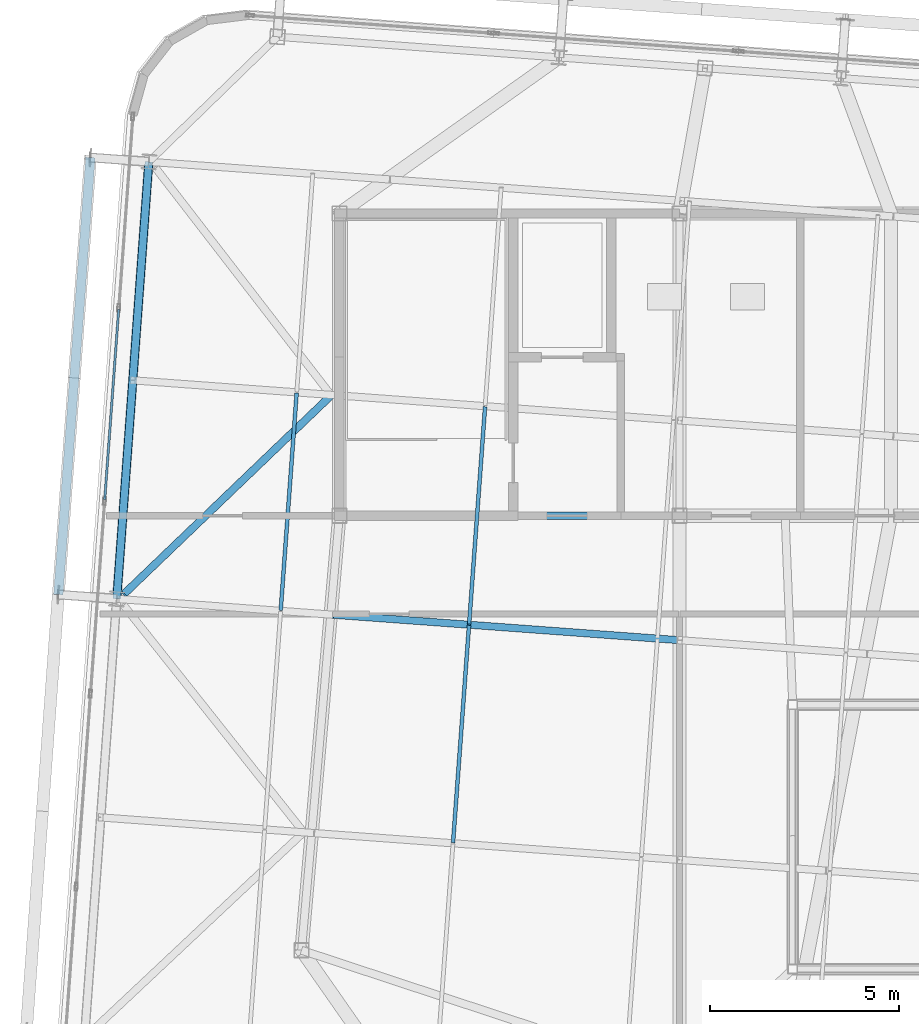
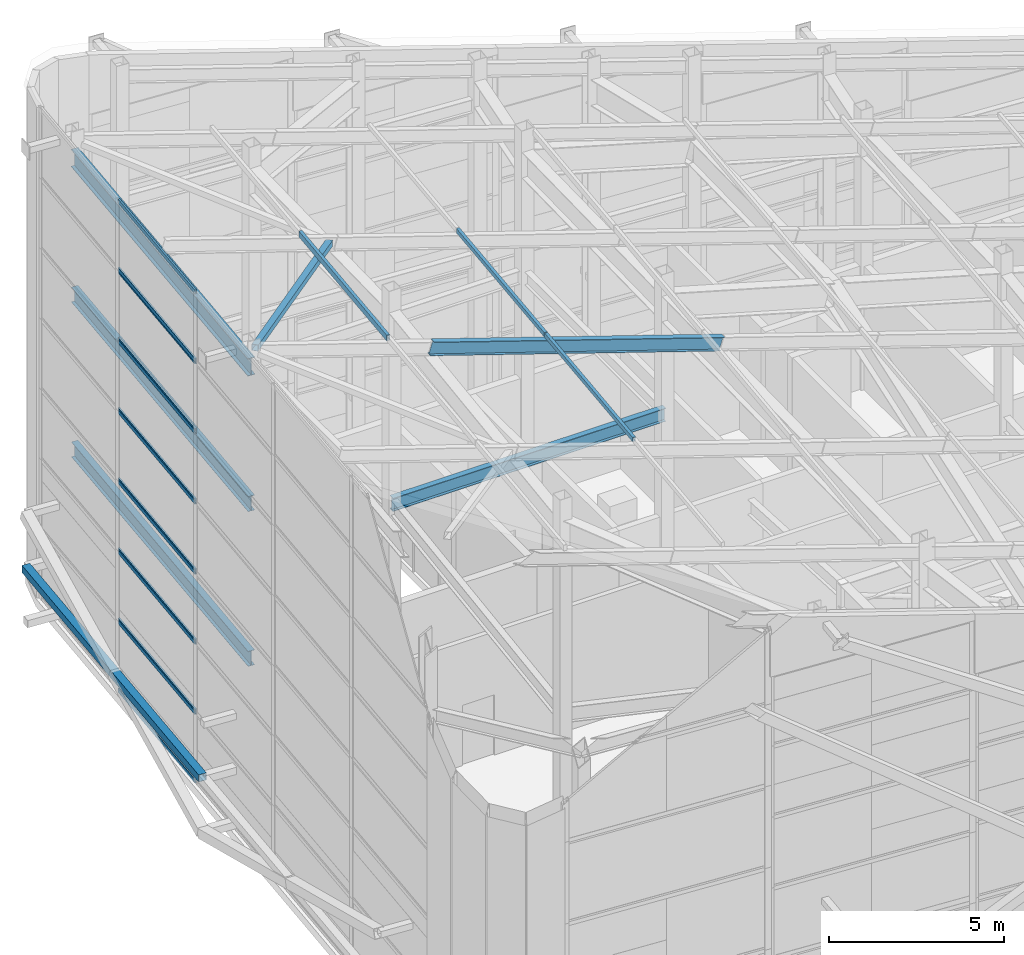
# One storey, part 16 of 56: 20 members, 4 beams, 7 elements without a shape of their own.
"""IFC4 building model written with IfcOpenShell, lengths in metres."""

from ifc_helpers import new_model, si_unit, direction, frame, origin, origin_2d, place, context, subcontext, project, spatial, hollow_rectangle, i_section, extrude, source, transform, mapped, material, layer, layer_set, material_profile, profile_set, type_object, element, aggregate, save


model = new_model("IFC4")

# Units and contexts
model_context = context("Model", 3, precision=1e-05, world=origin(), true_north=direction((0.0, 1.0)))
body_context = subcontext(model_context, "Body", "Model", "MODEL_VIEW")
ifc_project = project(units=[si_unit("LENGTHUNIT", "METRE"), si_unit("AREAUNIT", "SQUARE_METRE"), si_unit("VOLUMEUNIT", "CUBIC_METRE"), si_unit("PLANEANGLEUNIT", "RADIAN"), si_unit("MASSUNIT", "GRAM", prefix="KILO")], contexts=[model_context])

# Site, building, storey
site_placement = place(None, origin())
site = spatial("IfcSite", under=ifc_project, at=site_placement, CompositionType="ELEMENT")
building_placement = place(site_placement, origin())
building = spatial("IfcBuilding", under=site, at=building_placement, Name="Taldren Reach Tower", CompositionType="ELEMENT")
storey_placement = place(building_placement, frame((0.0, 0.0, 253.050048828125)))
storey = spatial("IfcBuildingStorey", under=building, at=storey_placement, Name="L77", CompositionType="ELEMENT", Elevation=253.050048828125)

# Beams
ifc_material_1 = material(Name="Steel Gr 350 (350PLUS)", Category="steel")
ifc_material_profile_1 = material_profile(ifc_material_1, i_section(OverallWidth=0.19091796875, OverallDepth=0.4599609375, WebThickness=0.010009765625, FlangeThickness=0.01611328125, at=origin_2d()), Name="460UB82.1")
ifc_profile_set_1 = profile_set([ifc_material_profile_1], Name="Steel Gr 350 (350PLUS)")
beam_type_1 = type_object("IfcBeamType", Name="BM-UB460A", PredefinedType="BEAM", material=ifc_profile_set_1)
shared_shape_1 = source(origin(), body_context, "Body", "SweptSolid", [
    extrude(i_section(OverallWidth=0.19091796875, OverallDepth=0.4599609375, WebThickness=0.010009765625, FlangeThickness=0.01611328125, at=origin_2d()), origin(), (0.0, 0.0, 1.0), 9.0),
])
beam_1_placement = place(storey_placement, frame((19.0, 24.0, 7.800048828125), z_axis=(1.0, 0.0, 0.0), x_axis=(0.0, 1.0, 0.0)))
element("IfcBeam", 1, at=beam_1_placement, inside=storey, type_object=beam_type_1, Name="Crown interior mega-column lateral tie MC-C1-MC-C2", PredefinedType="BEAM", context=body_context, shape_type="MappedRepresentation", body=[
    mapped(shared_shape_1, transform((0.0, 0.0, 0.0), scale=1.0)),
])
ifc_material_profile_2 = material_profile(ifc_material_1, i_section(OverallWidth=0.208984375, OverallDepth=0.528076171875, WebThickness=0.009521484375, FlangeThickness=0.01318359375, at=origin_2d()), Name="530UB82.0")
ifc_profile_set_2 = profile_set([ifc_material_profile_2], Name="Steel Gr 350 (350PLUS)")
beam_type_2 = type_object("IfcBeamType", Name="SP-UB530B", PredefinedType="SPANDREL", material=ifc_profile_set_2)
shared_shape_2 = source(origin(), body_context, "Body", "SweptSolid", [
    extrude(i_section(OverallWidth=0.208984375, OverallDepth=0.528076171875, WebThickness=0.009521484375, FlangeThickness=0.01318359375, at=origin_2d()), origin(), (0.0, 0.0, 1.0), 11.60009765625),
])
for number, where, z_axis, x_axis, name in (
    (2, (13.958251953125, 33.369140625, 5.800048828125), (-0.073242167855, -0.997314185625, 0.0), (0.997314185625, -0.073242167855, 0.0), "Crown perimeter wind girt LO W3-W2"),
    (3, (13.958251953125, 33.369140625, 11.199951171875), (-0.073242167855, -0.997314185625, 0.0), (0.997314185625, -0.073242167855, 0.0), "Crown perimeter wind girt HI W3-W2"),
):
    element("IfcBeam", number, at=place(storey_placement, frame(where, z_axis=z_axis, x_axis=x_axis)), inside=storey, type_object=beam_type_2, Name=name, PredefinedType="SPANDREL", context=body_context, shape_type="MappedRepresentation", body=[
        mapped(shared_shape_2, transform((0.0, 0.0, 0.0), scale=1.0)),
    ])

# Member
ifc_material_2 = material(Name="Steel Gr 350 (C350L0)", Category="steel")
ifc_material_profile_3 = material_profile(ifc_material_2, hollow_rectangle(XDim=0.25, YDim=0.25, WallThickness=0.010009765625, at=origin_2d()), Name="250x250x10.0SHS")
ifc_profile_set_3 = profile_set([ifc_material_profile_3], Name="Steel Gr 350 (C350L0)")
member_type_1 = type_object("IfcMemberType", Name="MB-POST250", PredefinedType="POST", material=ifc_profile_set_3)
shared_shape_3 = source(origin(), body_context, "Body", "SweptSolid", [
    extrude(hollow_rectangle(XDim=0.25, YDim=0.25, WallThickness=0.010009765625, at=origin_2d()), origin(), (0.0, 0.0, 1.0), 11.60009765625),
])
member_1_placement = place(storey_placement, frame((11.562744140625, 21.913818359375, 2.10986328125), z_axis=(0.073242167855, 0.997314185625, 0.0), x_axis=(-0.997314185625, 0.073242167855, 0.0)))
element("IfcMember", 4, at=member_1_placement, inside=storey, type_object=member_type_1, Name="Exoskeleton mid-height ring chord B5-W2 L77", PredefinedType="POST", context=body_context, shape_type="MappedRepresentation", body=[
    mapped(shared_shape_3, transform((0.0, 0.0, 0.0), scale=1.0)),
])

# Beam
ifc_material_profile_4 = material_profile(ifc_material_1, i_section(OverallWidth=0.22900390625, OverallDepth=0.612060546875, WebThickness=0.011962890625, FlangeThickness=0.01953125, at=origin_2d()), Name="610UB125")
ifc_profile_set_4 = profile_set([ifc_material_profile_4], Name="Steel Gr 350 (350PLUS)")
beam_type_3 = type_object("IfcBeamType", Name="BM-UB610A", PredefinedType="BEAM", material=ifc_profile_set_4)
shared_shape_4 = source(origin(), body_context, "Body", "SweptSolid", [
    extrude(i_section(OverallWidth=0.22900390625, OverallDepth=0.612060546875, WebThickness=0.011962890625, FlangeThickness=0.01953125, at=origin_2d()), origin(), (0.0, 0.0, 1.0), 11.60009765625),
])
beam_2_placement = place(storey_placement, frame((13.108642578125, 21.80029296875, 15.97021484375), z_axis=(0.073242167855, 0.997314185625, 0.0), x_axis=(-0.997314185625, 0.073242167855, 0.0)))
element("IfcBeam", 5, at=beam_2_placement, inside=storey, type_object=beam_type_3, Name="Crown gable header girder W2", PredefinedType="BEAM", context=body_context, shape_type="MappedRepresentation", body=[
    mapped(shared_shape_4, transform((0.0, 0.0, 0.0), scale=1.0)),
])

# Members
ifc_material_profile_5 = material_profile(ifc_material_1, i_section(OverallWidth=0.19091796875, OverallDepth=0.4599609375, WebThickness=0.010009765625, FlangeThickness=0.01611328125, at=origin_2d()), Name="460UB82.1")
ifc_profile_set_5 = profile_set([ifc_material_profile_5], Name="Steel Gr 350 (350PLUS)")
member_type_2 = type_object("IfcMemberType", Name="MB-RAF460", PredefinedType="RAFTER", material=ifc_profile_set_5)
shared_shape_5 = source(origin(), body_context, "Body", "SweptSolid", [
    extrude(i_section(OverallWidth=0.19091796875, OverallDepth=0.4599609375, WebThickness=0.010009765625, FlangeThickness=0.01611328125, at=origin_2d()), origin(), (0.0, 0.0, 1.0), 9.59375),
])
member_2_placement = place(storey_placement, frame((27.985107421875, 20.707763671875, 12.26318359375), z_axis=(-0.958697203785, 0.070414226711, 0.275574868468), x_axis=(-0.073250515099, -0.997313572573, 0.0)))
element("IfcMember", 6, at=member_2_placement, inside=storey, type_object=member_type_2, Name="Crown sloped rafter RF-3.6", PredefinedType="RAFTER", context=body_context, shape_type="MappedRepresentation", body=[
    mapped(shared_shape_5, transform((0.0, 0.0, 0.0), scale=1.0)),
])
ifc_material_profile_6 = material_profile(ifc_material_2, hollow_rectangle(XDim=0.10009765625, YDim=0.199951171875, WallThickness=0.006103515625, at=origin_2d()), Name="200x100x6.0RHS")
ifc_profile_set_6 = profile_set([ifc_material_profile_6], Name="Steel Gr 350 (C350L0)")
member_type_3 = type_object("IfcMemberType", Name="MB-PUR200", PredefinedType="PURLIN", material=ifc_profile_set_6)
shared_shape_6 = source(origin(), body_context, "Body", "SweptSolid", [
    extrude(hollow_rectangle(XDim=0.10009765625, YDim=0.199951171875, WallThickness=0.006103515625, at=origin_2d()), origin(), (0.0, 0.0, 1.0), 5.77001953125),
])
member_3_placement = place(storey_placement, frame((17.447998046875, 21.49658203125, 15.642578125), z_axis=(0.073240468007, 0.997314310459, 0.0), x_axis=(-0.997314310459, 0.073240468007, 0.0)))
element("IfcMember", 7, at=member_3_placement, inside=storey, type_object=member_type_3, Name="Crown roof purlin PR-1.3", PredefinedType="PURLIN", context=body_context, shape_type="MappedRepresentation", body=[
    mapped(shared_shape_6, transform((0.0, 0.0, 0.0), scale=1.0)),
])
ifc_material_profile_7 = material_profile(ifc_material_2, hollow_rectangle(XDim=0.10009765625, YDim=0.14990234375, WallThickness=0.0048828125, at=origin_2d()), Name="150x100x5.0RHS")
ifc_profile_set_7 = profile_set([ifc_material_profile_7], Name="Steel Gr 350 (C350L0)")
member_type_4 = type_object("IfcMemberType", Name="MB-PUR150", PredefinedType="PURLIN", material=ifc_profile_set_7)
shared_shape_7 = source(origin(), body_context, "Body", "SweptSolid", [
    extrude(hollow_rectangle(XDim=0.10009765625, YDim=0.14990234375, WallThickness=0.0048828125, at=origin_2d()), origin(), (0.0, 0.0, 1.0), 5.77001953125),
])
for number, where, z_axis, x_axis, name in (
    (8, (22.009765625, 15.345947265625, 14.235107421875), (0.073240468007, 0.997314310459, 0.0), (-0.997314310459, 0.073240468007, 0.0), "Crown roof purlin PR-2.2"),
    (9, (22.4345703125, 21.13037109375, 14.235107421875), (0.073240468007, 0.997314310459, 0.0), (-0.997314310459, 0.073240468007, 0.0), "Crown roof purlin PR-2.3"),
):
    element("IfcMember", number, at=place(storey_placement, frame(where, z_axis=z_axis, x_axis=x_axis)), inside=storey, type_object=member_type_4, Name=name, PredefinedType="PURLIN", context=body_context, shape_type="MappedRepresentation", body=[
        mapped(shared_shape_7, transform((0.0, 0.0, 0.0), scale=1.0)),
    ])
ifc_material_profile_8 = material_profile(ifc_material_2, hollow_rectangle(XDim=0.199951171875, YDim=0.199951171875, WallThickness=0.009033203125, at=origin_2d()), Name="200x200x9.0SHS")
ifc_profile_set_8 = profile_set([ifc_material_profile_8], Name="Steel Gr 350 (C350L0)")
member_type_5 = type_object("IfcMemberType", Name="BR-ROOF-200", PredefinedType="BRACE", material=ifc_profile_set_8)
shared_shape_8 = source(origin(), body_context, "Body", "SweptSolid", [
    extrude(hollow_rectangle(XDim=0.199951171875, YDim=0.199951171875, WallThickness=0.009033203125, at=origin_2d()), origin(), (0.0, 0.0, 1.0), 7.748291015625),
])
member_4_placement = place(storey_placement, frame((13.29833984375, 21.9267578125, 16.48779296875), z_axis=(0.708834240613, 0.679751114542, -0.188394377873), x_axis=(-0.692145039416, 0.7217584391, 0.0)))
element("IfcMember", 10, at=member_4_placement, inside=storey, type_object=member_type_5, Name="Crown sloped roof wind brace RB-7", PredefinedType="BRACE", context=body_context, shape_type="MappedRepresentation", body=[
    mapped(shared_shape_8, transform((0.0, 0.0, 0.0), scale=1.0)),
])

# Curtain wall, members
ifc_material_3 = material(Name="Aluminium and Low-E Glass Unitised System", Category="aluminium")
ifc_layer = layer(ifc_material_3, 0.159912109375)
ifc_layer_set = layer_set([ifc_layer], Name="Aluminium and Low-E Glass Unitised System")
curtain_wall_type = type_object("IfcCurtainWallType", Name="CW-SYS-8", PredefinedType="NOTDEFINED", material=ifc_layer_set)
curtain_wall_1_placement = place(storey_placement, origin())
curtain_wall_1 = element("IfcCurtainWall", 11, at=curtain_wall_1_placement, inside=storey, type_object=curtain_wall_type, Name="Unitised curtain wall CW8-L77-W", PredefinedType="NOTDEFINED")
ifc_material_4 = material(Name="Anodised Aluminium 6063-T6", Category="aluminium")
ifc_material_profile_9 = material_profile(ifc_material_4, hollow_rectangle(XDim=0.06005859375, YDim=0.135009765625, WallThickness=0.00341796875, at=origin_2d()), Name="ALU-135x60x3.5RHS")
ifc_profile_set_9 = profile_set([ifc_material_profile_9], Name="Anodised Aluminium 6063-T6")
member_type_6 = type_object("IfcMemberType", Name="CW-TRN-150", PredefinedType="USERDEFINED", material=ifc_profile_set_9)
shared_shape_9 = source(origin(), body_context, "Body", "SweptSolid", [
    extrude(hollow_rectangle(XDim=0.06005859375, YDim=0.135009765625, WallThickness=0.00341796875, at=origin_2d()), origin(), (0.0, 0.0, 1.0), 5.044677734375),
])
member_5_placement = place(storey_placement, frame((13.15966796875, 29.45947265625, 0.030029296875), z_axis=(-0.073221016726, -0.997315738726, 0.0), x_axis=(0.997315738726, -0.073221016726, 0.0)))
member_5 = element("IfcMember", 12, at=member_5_placement, type_object=member_type_6, Name="CW-8 transom 2.1", ObjectType="TRANSOM", PredefinedType="USERDEFINED", context=body_context, shape_type="MappedRepresentation", body=[
    mapped(shared_shape_9, transform((0.0, 0.0, 0.0), scale=1.0)),
])
member_6_placement = place(storey_placement, frame((13.15966796875, 29.45947265625, 2.416259765625), z_axis=(-0.073221016726, -0.997315738726, 0.0), x_axis=(0.997315738726, -0.073221016726, 0.0)))
member_6 = element("IfcMember", 13, at=member_6_placement, type_object=member_type_6, Name="CW-8 transom 2.2", ObjectType="TRANSOM", PredefinedType="USERDEFINED", context=body_context, shape_type="MappedRepresentation", body=[
    mapped(shared_shape_9, transform((0.0, 0.0, 0.0), scale=1.0)),
])
aggregate(curtain_wall_1, [member_5, member_6])

curtain_wall_2_placement = place(storey_placement, origin())
curtain_wall_2 = element("IfcCurtainWall", 14, at=curtain_wall_2_placement, inside=storey, type_object=curtain_wall_type, Name="Unitised curtain wall CW8-L77-W-T2", PredefinedType="NOTDEFINED")
member_7_placement = place(storey_placement, frame((13.15966796875, 29.45947265625, 2.476318359375), z_axis=(-0.073221016726, -0.997315738726, 0.0), x_axis=(0.997315738726, -0.073221016726, 0.0)))
member_7 = element("IfcMember", 15, at=member_7_placement, type_object=member_type_6, Name="CW-8 transom 2.1", ObjectType="TRANSOM", PredefinedType="USERDEFINED", context=body_context, shape_type="MappedRepresentation", body=[
    mapped(shared_shape_9, transform((0.0, 0.0, 0.0), scale=1.0)),
])
member_8_placement = place(storey_placement, frame((13.15966796875, 29.45947265625, 4.86279296875), z_axis=(-0.073221016726, -0.997315738726, 0.0), x_axis=(0.997315738726, -0.073221016726, 0.0)))
member_8 = element("IfcMember", 16, at=member_8_placement, type_object=member_type_6, Name="CW-8 transom 2.2", ObjectType="TRANSOM", PredefinedType="USERDEFINED", context=body_context, shape_type="MappedRepresentation", body=[
    mapped(shared_shape_9, transform((0.0, 0.0, 0.0), scale=1.0)),
])
aggregate(curtain_wall_2, [member_7, member_8])

curtain_wall_3_placement = place(storey_placement, origin())
curtain_wall_3 = element("IfcCurtainWall", 17, at=curtain_wall_3_placement, inside=storey, type_object=curtain_wall_type, Name="Unitised curtain wall CW8-L77-W-T3", PredefinedType="NOTDEFINED")
member_9_placement = place(storey_placement, frame((13.15966796875, 29.45947265625, 4.9228515625), z_axis=(-0.073221016726, -0.997315738726, 0.0), x_axis=(0.997315738726, -0.073221016726, 0.0)))
member_9 = element("IfcMember", 18, at=member_9_placement, type_object=member_type_6, Name="CW-8 transom 2.1", ObjectType="TRANSOM", PredefinedType="USERDEFINED", context=body_context, shape_type="MappedRepresentation", body=[
    mapped(shared_shape_9, transform((0.0, 0.0, 0.0), scale=1.0)),
])
member_10_placement = place(storey_placement, frame((13.15966796875, 29.45947265625, 7.30908203125), z_axis=(-0.073221016726, -0.997315738726, 0.0), x_axis=(0.997315738726, -0.073221016726, 0.0)))
member_10 = element("IfcMember", 19, at=member_10_placement, type_object=member_type_6, Name="CW-8 transom 2.2", ObjectType="TRANSOM", PredefinedType="USERDEFINED", context=body_context, shape_type="MappedRepresentation", body=[
    mapped(shared_shape_9, transform((0.0, 0.0, 0.0), scale=1.0)),
])
aggregate(curtain_wall_3, [member_9, member_10])

curtain_wall_4_placement = place(storey_placement, origin())
curtain_wall_4 = element("IfcCurtainWall", 20, at=curtain_wall_4_placement, inside=storey, type_object=curtain_wall_type, Name="Unitised curtain wall CW8-L77-W-T4", PredefinedType="NOTDEFINED")
member_11_placement = place(storey_placement, frame((13.15966796875, 29.45947265625, 7.369140625), z_axis=(-0.073221016726, -0.997315738726, 0.0), x_axis=(0.997315738726, -0.073221016726, 0.0)))
member_11 = element("IfcMember", 21, at=member_11_placement, type_object=member_type_6, Name="CW-8 transom 2.1", ObjectType="TRANSOM", PredefinedType="USERDEFINED", context=body_context, shape_type="MappedRepresentation", body=[
    mapped(shared_shape_9, transform((0.0, 0.0, 0.0), scale=1.0)),
])
member_12_placement = place(storey_placement, frame((13.15966796875, 29.45947265625, 9.755615234375), z_axis=(-0.073221016726, -0.997315738726, 0.0), x_axis=(0.997315738726, -0.073221016726, 0.0)))
member_12 = element("IfcMember", 22, at=member_12_placement, type_object=member_type_6, Name="CW-8 transom 2.2", ObjectType="TRANSOM", PredefinedType="USERDEFINED", context=body_context, shape_type="MappedRepresentation", body=[
    mapped(shared_shape_9, transform((0.0, 0.0, 0.0), scale=1.0)),
])
aggregate(curtain_wall_4, [member_11, member_12])

curtain_wall_5_placement = place(storey_placement, origin())
curtain_wall_5 = element("IfcCurtainWall", 23, at=curtain_wall_5_placement, inside=storey, type_object=curtain_wall_type, Name="Unitised curtain wall CW8-L77-W-T5", PredefinedType="NOTDEFINED")
member_13_placement = place(storey_placement, frame((13.15966796875, 29.45947265625, 9.8154296875), z_axis=(-0.073221016726, -0.997315738726, 0.0), x_axis=(0.997315738726, -0.073221016726, 0.0)))
member_13 = element("IfcMember", 24, at=member_13_placement, type_object=member_type_6, Name="CW-8 transom 2.1", ObjectType="TRANSOM", PredefinedType="USERDEFINED", context=body_context, shape_type="MappedRepresentation", body=[
    mapped(shared_shape_9, transform((0.0, 0.0, 0.0), scale=1.0)),
])
member_14_placement = place(storey_placement, frame((13.15966796875, 29.45947265625, 12.201904296875), z_axis=(-0.073221016726, -0.997315738726, 0.0), x_axis=(0.997315738726, -0.073221016726, 0.0)))
member_14 = element("IfcMember", 25, at=member_14_placement, type_object=member_type_6, Name="CW-8 transom 2.2", ObjectType="TRANSOM", PredefinedType="USERDEFINED", context=body_context, shape_type="MappedRepresentation", body=[
    mapped(shared_shape_9, transform((0.0, 0.0, 0.0), scale=1.0)),
])
aggregate(curtain_wall_5, [member_13, member_14])

curtain_wall_6_placement = place(storey_placement, origin())
curtain_wall_6 = element("IfcCurtainWall", 26, at=curtain_wall_6_placement, inside=storey, type_object=curtain_wall_type, Name="Unitised curtain wall CW8-L77-W-T6", PredefinedType="NOTDEFINED")
member_15_placement = place(storey_placement, frame((13.15966796875, 29.45947265625, 12.261962890625), z_axis=(-0.073221016726, -0.997315738726, 0.0), x_axis=(0.997315738726, -0.073221016726, 0.0)))
member_15 = element("IfcMember", 27, at=member_15_placement, type_object=member_type_6, Name="CW-8 transom 2.1", ObjectType="TRANSOM", PredefinedType="USERDEFINED", context=body_context, shape_type="MappedRepresentation", body=[
    mapped(shared_shape_9, transform((0.0, 0.0, 0.0), scale=1.0)),
])
member_16_placement = place(storey_placement, frame((13.15966796875, 29.45947265625, 14.6484375), z_axis=(-0.073221016726, -0.997315738726, 0.0), x_axis=(0.997315738726, -0.073221016726, 0.0)))
member_16 = element("IfcMember", 28, at=member_16_placement, type_object=member_type_6, Name="CW-8 transom 2.2", ObjectType="TRANSOM", PredefinedType="USERDEFINED", context=body_context, shape_type="MappedRepresentation", body=[
    mapped(shared_shape_9, transform((0.0, 0.0, 0.0), scale=1.0)),
])
aggregate(curtain_wall_6, [member_15, member_16])

curtain_wall_7_placement = place(storey_placement, origin())
curtain_wall_7 = element("IfcCurtainWall", 29, at=curtain_wall_7_placement, inside=storey, type_object=curtain_wall_type, Name="Unitised curtain wall CW8-L77-W-T7", PredefinedType="NOTDEFINED")
member_17_placement = place(storey_placement, frame((13.15966796875, 29.45947265625, 14.708251953125), z_axis=(-0.073221016726, -0.997315738726, 0.0), x_axis=(0.997315738726, -0.073221016726, 0.0)))
member_17 = element("IfcMember", 30, at=member_17_placement, type_object=member_type_6, Name="CW-8 transom 2.1", ObjectType="TRANSOM", PredefinedType="USERDEFINED", context=body_context, shape_type="MappedRepresentation", body=[
    mapped(shared_shape_9, transform((0.0, 0.0, 0.0), scale=1.0)),
])
member_18_placement = place(storey_placement, frame((13.15966796875, 29.45947265625, 17.0947265625), z_axis=(-0.073221016726, -0.997315738726, 0.0), x_axis=(0.997315738726, -0.073221016726, 0.0)))
member_18 = element("IfcMember", 31, at=member_18_placement, type_object=member_type_6, Name="CW-8 transom 2.2", ObjectType="TRANSOM", PredefinedType="USERDEFINED", context=body_context, shape_type="MappedRepresentation", body=[
    mapped(shared_shape_9, transform((0.0, 0.0, 0.0), scale=1.0)),
])
aggregate(curtain_wall_7, [member_17, member_18])

save(model, "model.ifc")
